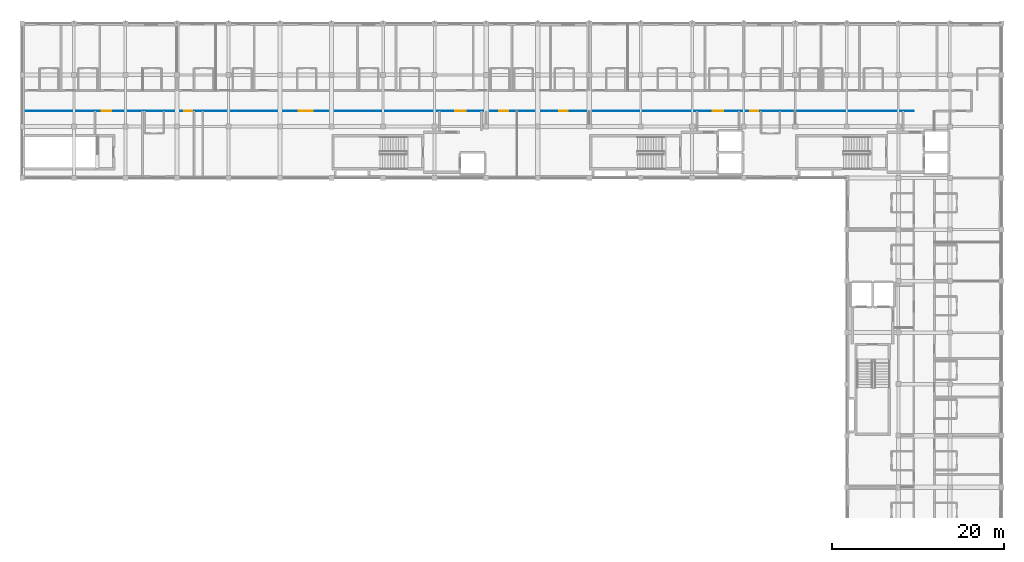
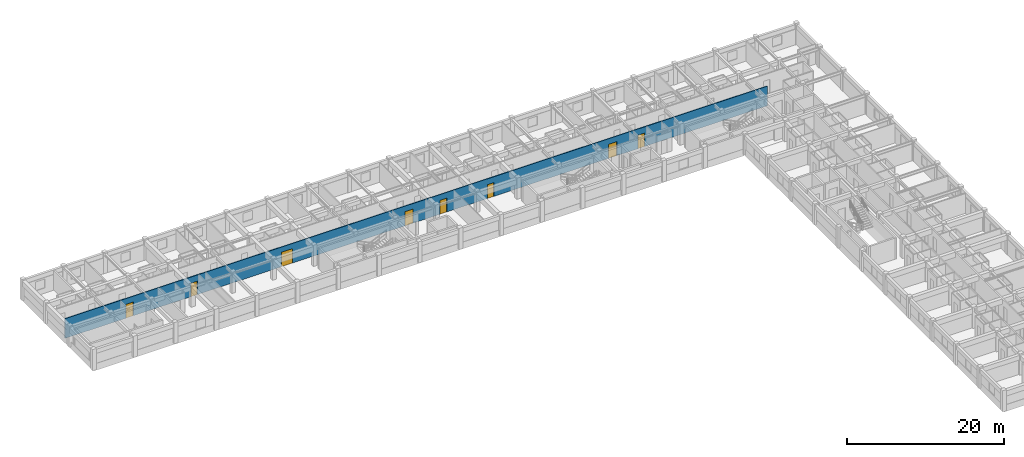
# One storey, part 10 of 21: 8 doors, 1 wall, 8 openings.
"""IFC4 building model written with IfcOpenShell, lengths in metres."""

from ifc_helpers import new_model, si_unit, direction, frame, frame_2d, origin, place, context, subcontext, project, spatial, rectangle, extrude, material, layer, layer_set, type_object, element, fill, save


model = new_model("IFC4")

# Units and contexts
model_context = context("Model", 3, precision=1e-05, world=origin(), true_north=direction((0.0, 1.0)))
body_context = subcontext(model_context, "Body", "Model", "MODEL_VIEW")
ifc_project = project(units=[si_unit("LENGTHUNIT", "METRE"), si_unit("AREAUNIT", "SQUARE_METRE"), si_unit("VOLUMEUNIT", "CUBIC_METRE"), si_unit("PLANEANGLEUNIT", "RADIAN"), si_unit("MASSUNIT", "GRAM", prefix="KILO"), si_unit("THERMODYNAMICTEMPERATUREUNIT", "KELVIN"), si_unit("POWERUNIT", "WATT")], contexts=[model_context])

# Site, building, storey
site_placement = place(None, origin())
site = spatial("IfcSite", under=ifc_project, at=site_placement, CompositionType="ELEMENT")
building_placement = place(site_placement, origin())
building = spatial("IfcBuilding", under=site, at=building_placement, Name="Phaisarnlok Congress Hotel", CompositionType="ELEMENT")
storey_placement = place(building_placement, frame((0.0, 0.0, 34.800048828125)))
storey = spatial("IfcBuildingStorey", under=building, at=storey_placement, Name="L08", CompositionType="ELEMENT", Elevation=34.800048828125)

# Wall, openings, doors
ifc_material_1 = material(Name="Service Riser Shaftwall Partition", Category="gypsum")
ifc_layer = layer(ifc_material_1, 0.10498046875, Name="Service Riser Shaftwall Partition")
ifc_layer_set = layer_set([ifc_layer], Name="Service Riser Shaftwall Partition")
wall_type = type_object("IfcWallType", Name="WL-INT-105", PredefinedType="PARTITIONING", material=ifc_layer_set)
wall_placement = place(storey_placement, frame((66.27490234375, 115.800048828125, 0.0), z_axis=(0.0, 0.0, 1.0), x_axis=(1.0, 0.0, 0.0)))
wall = element("IfcWall", 1, at=wall_placement, inside=storey, type_object=wall_type, Name="Interior partition wall IW-08 (L08)", PredefinedType="PARTITIONING", context=body_context, shape_type="SweptSolid", body=[
    extrude(rectangle(XDim=103.525146484375, YDim=0.10498046875, at=frame_2d((51.7626953125, 0.0))), origin(), (0.0, 0.0, 1.0), 3.070068359375),
])
opening_1_placement = place(wall_placement, frame((80.125, 0.0, 0.0)))
opening_1 = element("IfcOpeningElement", 2, at=opening_1_placement, cuts=wall, Name="Opening D-0398", PredefinedType="OPENING", context=body_context, shape_type="SweptSolid", body=[
    extrude(rectangle(XDim=1.199951171875, YDim=2.199951171875, at=frame_2d((0.60009765625, 1.10009765625))), frame((0.0, 0.0625, 0.0), z_axis=(0.0, -1.0, 0.0), x_axis=(1.0, 0.0, 0.0)), (0.0, 0.0, 1.0), 0.125),
])
opening_2_placement = place(wall_placement, frame((50.125, 0.0, 0.0)))
opening_2 = element("IfcOpeningElement", 3, at=opening_2_placement, cuts=wall, Name="Opening D-0399", PredefinedType="OPENING", context=body_context, shape_type="SweptSolid", body=[
    extrude(rectangle(XDim=1.199951171875, YDim=2.199951171875, at=frame_2d((0.60009765625, 1.10009765625))), frame((0.0, 0.0625, 0.0), z_axis=(0.0, -1.0, 0.0), x_axis=(1.0, 0.0, 0.0)), (0.0, 0.0, 1.0), 0.125),
])
opening_3_placement = place(wall_placement, frame((8.97509765625, 0.0, 0.0)))
opening_3 = element("IfcOpeningElement", 4, at=opening_3_placement, cuts=wall, Name="Opening D-0401", PredefinedType="OPENING", context=body_context, shape_type="SweptSolid", body=[
    extrude(rectangle(XDim=1.10009765625, YDim=2.14990234375, at=frame_2d((0.550048828125, 1.074951171875))), frame((0.0, 0.0625, 0.0), z_axis=(0.0, -1.0, 0.0), x_axis=(1.0, 0.0, 0.0)), (0.0, 0.0, 1.0), 0.125),
])
opening_4_placement = place(wall_placement, frame((55.27490234375, 0.0, 0.0)))
opening_4 = element("IfcOpeningElement", 5, at=opening_4_placement, cuts=wall, Name="Opening D-0402", PredefinedType="OPENING", context=body_context, shape_type="SweptSolid", body=[
    extrude(rectangle(XDim=1.0, YDim=2.14990234375, at=frame_2d((0.5, 1.074951171875))), frame((0.0, 0.0625, 0.0), z_axis=(0.0, -1.0, 0.0), x_axis=(1.0, 0.0, 0.0)), (0.0, 0.0, 1.0), 0.125),
])
opening_5_placement = place(wall_placement, frame((62.2451171875, 0.0, 0.0)))
opening_5 = element("IfcOpeningElement", 6, at=opening_5_placement, cuts=wall, Name="Opening D-0403", PredefinedType="OPENING", context=body_context, shape_type="SweptSolid", body=[
    extrude(rectangle(XDim=0.9599609375, YDim=2.14990234375, at=frame_2d((0.47998046875, 1.074951171875))), frame((0.0, 0.0625, 0.0), z_axis=(0.0, -1.0, 0.0), x_axis=(1.0, 0.0, 0.0)), (0.0, 0.0, 1.0), 0.125),
])
opening_6_placement = place(wall_placement, frame((31.925048828125, 0.0, 0.0)))
opening_6 = element("IfcOpeningElement", 7, at=opening_6_placement, cuts=wall, Name="Opening D-0404", PredefinedType="OPENING", context=body_context, shape_type="SweptSolid", body=[
    extrude(rectangle(XDim=1.60009765625, YDim=2.25, at=frame_2d((0.800048828125, 1.125))), frame((0.0, 0.0625, 0.0), z_axis=(0.0, -1.0, 0.0), x_axis=(1.0, 0.0, 0.0)), (0.0, 0.0, 1.0), 0.125),
])
opening_7_placement = place(wall_placement, frame((18.550048828125, 0.0, 0.0)))
opening_7 = element("IfcOpeningElement", 8, at=opening_7_placement, cuts=wall, Name="Opening D-0444", PredefinedType="OPENING", context=body_context, shape_type="SweptSolid", body=[
    extrude(rectangle(XDim=0.949951171875, YDim=2.10009765625, at=frame_2d((0.47509765625, 1.050048828125))), frame((0.0, 0.0625, 0.0), z_axis=(0.0, -1.0, 0.0), x_axis=(1.0, 0.0, 0.0)), (0.0, 0.0, 1.0), 0.125),
])
opening_8_placement = place(wall_placement, frame((84.449951171875, 0.0, 0.0)))
opening_8 = element("IfcOpeningElement", 9, at=opening_8_placement, cuts=wall, Name="Opening D-0446", PredefinedType="OPENING", context=body_context, shape_type="SweptSolid", body=[
    extrude(rectangle(XDim=0.949951171875, YDim=2.10009765625, at=frame_2d((0.47509765625, 1.050048828125))), frame((0.0, 0.0625, 0.0), z_axis=(0.0, -1.0, 0.0), x_axis=(1.0, 0.0, 0.0)), (0.0, 0.0, 1.0), 0.125),
])
ifc_material_2 = material(Name="Acoustic Solid-Core Teak Veneer", Category="wood")
door_type_1 = type_object("IfcDoorType", Name="DR-FD30-950", OperationType="NOTDEFINED", PredefinedType="DOOR", material=ifc_material_2)
door_1_placement = place(opening_7_placement, origin())
door_1 = element("IfcDoor", 10, at=door_1_placement, inside=storey, type_object=door_type_1, Name="Interior door D-0444 (L08)", OperationType="SINGLE_SWING_LEFT", OverallHeight=2.10009765625, OverallWidth=0.949951171875, PredefinedType="DOOR", context=body_context, shape_type="SweptSolid", body=[
    extrude(rectangle(XDim=0.949951171875, YDim=2.10009765625, at=frame_2d((0.47509765625, 1.050048828125))), frame((0.0, 0.02490234375, 0.0), z_axis=(0.0, -1.0, 0.0), x_axis=(1.0, 0.0, 0.0)), (0.0, 0.0, 1.0), 0.050048828125),
])
fill(opening_7, door_1)
door_2_placement = place(opening_8_placement, origin())
door_2 = element("IfcDoor", 11, at=door_2_placement, inside=storey, type_object=door_type_1, Name="Interior door D-0446 (L08)", OperationType="SINGLE_SWING_LEFT", OverallHeight=2.10009765625, OverallWidth=0.949951171875, PredefinedType="DOOR", context=body_context, shape_type="SweptSolid", body=[
    extrude(rectangle(XDim=0.949951171875, YDim=2.10009765625, at=frame_2d((0.47509765625, 1.050048828125))), frame((0.0, 0.02490234375, 0.0), z_axis=(0.0, -1.0, 0.0), x_axis=(1.0, 0.0, 0.0)), (0.0, 0.0, 1.0), 0.050048828125),
])
fill(opening_8, door_2)
ifc_material_3 = material(Name="Fire-Rated Steel Frame & Timber Leaf", Category="steel")
door_type_2 = type_object("IfcDoorType", Name="DR-FD60-1100", OperationType="NOTDEFINED", PredefinedType="DOOR", material=ifc_material_3)
door_3_placement = place(opening_3_placement, origin())
door_3 = element("IfcDoor", 12, at=door_3_placement, inside=storey, type_object=door_type_2, Name="Interior door D-0401 (L08)", OperationType="SINGLE_SWING_LEFT", OverallHeight=2.14990234375, OverallWidth=1.10009765625, PredefinedType="DOOR", context=body_context, shape_type="SweptSolid", body=[
    extrude(rectangle(XDim=1.10009765625, YDim=2.14990234375, at=frame_2d((0.550048828125, 1.074951171875))), frame((0.0, 0.02490234375, 0.0), z_axis=(0.0, -1.0, 0.0), x_axis=(1.0, 0.0, 0.0)), (0.0, 0.0, 1.0), 0.050048828125),
])
fill(opening_3, door_3)
door_type_3 = type_object("IfcDoorType", Name="DR-FD60-1200", OperationType="NOTDEFINED", PredefinedType="DOOR", material=ifc_material_3)
door_4_placement = place(opening_1_placement, origin())
door_4 = element("IfcDoor", 13, at=door_4_placement, inside=storey, type_object=door_type_3, Name="Interior door D-0398 (L08)", OperationType="SINGLE_SWING_RIGHT", OverallHeight=2.199951171875, OverallWidth=1.199951171875, PredefinedType="DOOR", context=body_context, shape_type="SweptSolid", body=[
    extrude(rectangle(XDim=1.199951171875, YDim=2.199951171875, at=frame_2d((0.60009765625, 1.10009765625))), frame((0.0, 0.02490234375, 0.0), z_axis=(0.0, -1.0, 0.0), x_axis=(1.0, 0.0, 0.0)), (0.0, 0.0, 1.0), 0.050048828125),
])
fill(opening_1, door_4)
door_5_placement = place(opening_2_placement, origin())
door_5 = element("IfcDoor", 14, at=door_5_placement, inside=storey, type_object=door_type_3, Name="Interior door D-0399 (L08)", OperationType="SINGLE_SWING_LEFT", OverallHeight=2.199951171875, OverallWidth=1.199951171875, PredefinedType="DOOR", context=body_context, shape_type="SweptSolid", body=[
    extrude(rectangle(XDim=1.199951171875, YDim=2.199951171875, at=frame_2d((0.60009765625, 1.10009765625))), frame((0.0, 0.02490234375, 0.0), z_axis=(0.0, -1.0, 0.0), x_axis=(1.0, 0.0, 0.0)), (0.0, 0.0, 1.0), 0.050048828125),
])
fill(opening_2, door_5)
door_type_4 = type_object("IfcDoorType", Name="DR-FD60-950", OperationType="NOTDEFINED", PredefinedType="DOOR", material=ifc_material_3)
door_6_placement = place(opening_5_placement, origin())
door_6 = element("IfcDoor", 15, at=door_6_placement, inside=storey, type_object=door_type_4, Name="Interior door D-0403 (L08)", OperationType="SINGLE_SWING_LEFT", OverallHeight=2.14990234375, OverallWidth=0.9599609375, PredefinedType="DOOR", context=body_context, shape_type="SweptSolid", body=[
    extrude(rectangle(XDim=0.9599609375, YDim=2.14990234375, at=frame_2d((0.47998046875, 1.074951171875))), frame((0.0, 0.02490234375, 0.0), z_axis=(0.0, -1.0, 0.0), x_axis=(1.0, 0.0, 0.0)), (0.0, 0.0, 1.0), 0.050048828125),
])
fill(opening_5, door_6)
ifc_material_4 = material(Name="Frameless Tempered Acoustic Glass", Category="glass")
door_type_5 = type_object("IfcDoorType", Name="DR-GLZ-1600", OperationType="DOUBLE_DOOR_SINGLE_SWING", PredefinedType="DOOR", material=ifc_material_4)
door_7_placement = place(opening_6_placement, origin())
door_7 = element("IfcDoor", 16, at=door_7_placement, inside=storey, type_object=door_type_5, Name="Interior door D-0404 (L08)", OperationType="DOUBLE_DOOR_SINGLE_SWING", OverallHeight=2.25, OverallWidth=1.60009765625, PredefinedType="DOOR", context=body_context, shape_type="SweptSolid", body=[
    extrude(rectangle(XDim=1.60009765625, YDim=2.25, at=frame_2d((0.800048828125, 1.125))), frame((0.0, 0.02490234375, 0.0), z_axis=(0.0, -1.0, 0.0), x_axis=(1.0, 0.0, 0.0)), (0.0, 0.0, 1.0), 0.050048828125),
])
fill(opening_6, door_7)
ifc_material_5 = material(Name="Solid-Core Oak Veneer", Category="wood")
door_type_6 = type_object("IfcDoorType", Name="DR-INT-1000", OperationType="NOTDEFINED", PredefinedType="DOOR", material=ifc_material_5)
door_8_placement = place(opening_4_placement, origin())
door_8 = element("IfcDoor", 17, at=door_8_placement, inside=storey, type_object=door_type_6, Name="Interior door D-0402 (L08)", OperationType="SINGLE_SWING_RIGHT", OverallHeight=2.14990234375, OverallWidth=1.0, PredefinedType="DOOR", context=body_context, shape_type="SweptSolid", body=[
    extrude(rectangle(XDim=1.0, YDim=2.14990234375, at=frame_2d((0.5, 1.074951171875))), frame((0.0, 0.02490234375, 0.0), z_axis=(0.0, -1.0, 0.0), x_axis=(1.0, 0.0, 0.0)), (0.0, 0.0, 1.0), 0.050048828125),
])
fill(opening_4, door_8)

save(model, "model.ifc")
